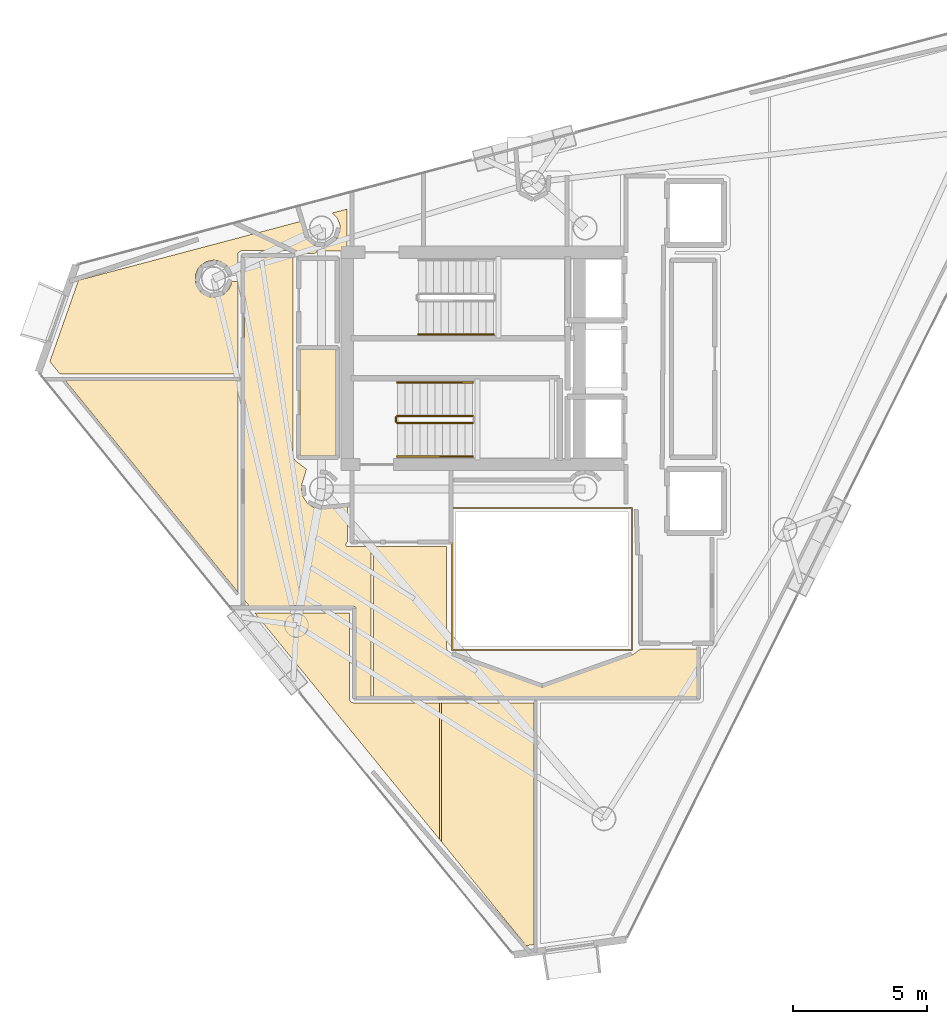
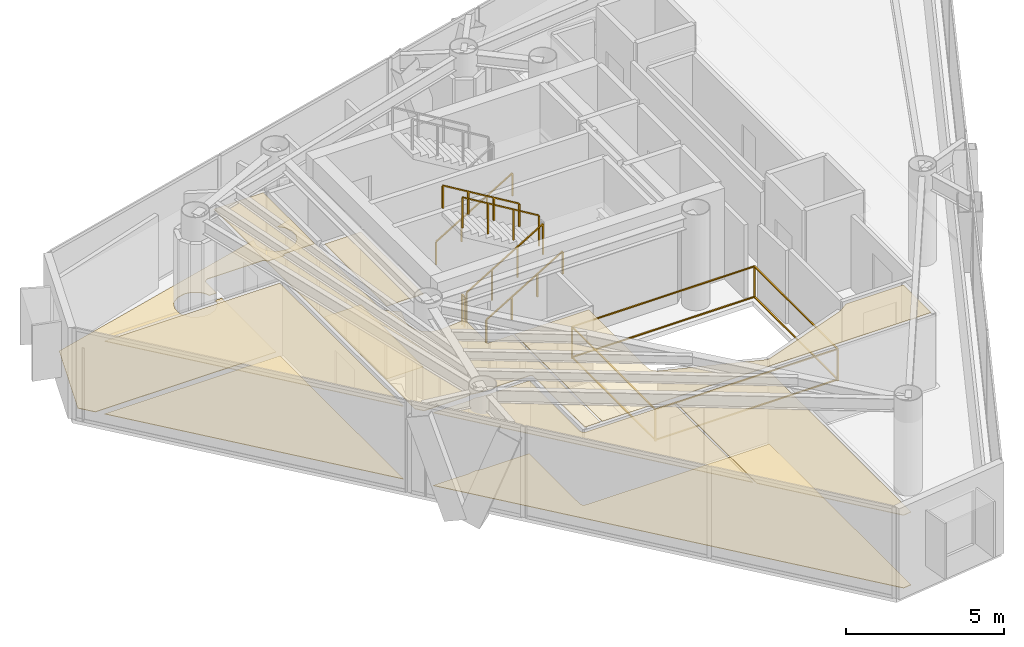
# One storey, part 21 of 23: 10 coverings, 7 railings.
"""IFC4 building model written with IfcOpenShell, lengths in metres."""

from ifc_helpers import new_model, si_unit, direction, frame, origin, origin_2d, place, context, subcontext, project, spatial, polyline, rectangle, outline, extrude, material, layer, layer_set, type_object, element, save


model = new_model("IFC4")

# Units and contexts
model_context = context("Model", 3, precision=1e-05, world=origin(), true_north=direction((0.0, 1.0)))
body_context = subcontext(model_context, "Body", "Model", "MODEL_VIEW")
ifc_project = project(units=[si_unit("LENGTHUNIT", "METRE"), si_unit("AREAUNIT", "SQUARE_METRE"), si_unit("VOLUMEUNIT", "CUBIC_METRE"), si_unit("PLANEANGLEUNIT", "RADIAN"), si_unit("MASSUNIT", "GRAM", prefix="KILO")], contexts=[model_context])

# Site, building, storey
site_placement = place(None, origin())
site = spatial("IfcSite", under=ifc_project, at=site_placement, CompositionType="ELEMENT")
building_placement = place(site_placement, origin())
building = spatial("IfcBuilding", under=site, at=building_placement, Name="Qianvela Tower", CompositionType="ELEMENT")
storey_placement = place(building_placement, frame((0.0, 0.0, 313.89990234375)))
storey = spatial("IfcBuildingStorey", under=building, at=storey_placement, Name="L81", CompositionType="ELEMENT", Elevation=313.89990234375)

# Coverings
ifc_material_1 = material(Name="Perforated Mineral Acoustic Ceiling Tile")
ifc_layer_1 = layer(ifc_material_1, 0.02490234375)
ifc_layer_set_1 = layer_set([ifc_layer_1], Name="Perforated Mineral Acoustic Ceiling Tile")
covering_type_1 = type_object("IfcCoveringType", Name="COV-CEIL-ACOUSTIC-25", PredefinedType="CEILING", material=ifc_layer_set_1)
covering_1_placement = place(storey_placement, frame((0.0, 0.0, 2.815185546875)))
element("IfcCovering", 1, at=covering_1_placement, inside=storey, type_object=covering_type_1, Name="L81 Acoustic Ceiling L81 Core Tea Pantry West", PredefinedType="CEILING", context=body_context, shape_type="SweptSolid", body=[
    extrude(outline(polyline([(27.800048828125, 25.080078125), (27.800048828125, 29.0400390625), (29.139892578125, 29.0400390625), (29.139892578125, 25.080078125), (27.800048828125, 25.080078125)])), origin(), (0.0, 0.0, 1.0), 0.02490234375),
])
covering_2_placement = place(storey_placement, frame((0.0, 0.0, 2.815185546875)))
element("IfcCovering", 2, at=covering_2_placement, inside=storey, type_object=covering_type_1, Name="L81 Acoustic Ceiling Bay 1 L81 Floor Corridor", PredefinedType="CEILING", context=body_context, shape_type="SweptSolid", body=[
    extrude(outline(polyline([(27.5400390625, 32.469970703125), (27.5400390625, 25.04638671875), (27.540283203125, 25.038818359375), (27.54150390625, 25.03125), (27.543212890625, 25.023681640625), (27.545654296875, 25.0166015625), (27.548828125, 25.009765625), (27.552734375, 25.003173828125), (27.61328125, 24.90869140625), (27.61767578125, 24.90283203125), (27.622314453125, 24.8974609375), (27.62744140625, 24.892333984375), (27.633056640625, 24.8876953125), (28.042236328125, 24.584228515625), (27.8662109375, 24.00390625), (27.864501953125, 23.996337890625), (27.86328125, 23.988525390625), (27.850341796875, 23.85791015625), (27.85009765625, 23.85009765625), (27.850341796875, 23.84228515625), (27.8515625, 23.83447265625), (27.902587890625, 23.577880859375), (27.904296875, 23.5703125), (27.906982421875, 23.56298828125), (27.910400390625, 23.555908203125), (27.91455078125, 23.54931640625), (28.059814453125, 23.331787109375), (28.064453125, 23.325439453125), (28.069580078125, 23.319580078125), (28.075439453125, 23.314453125), (28.081787109375, 23.309814453125), (28.29931640625, 23.16455078125), (28.305908203125, 23.160400390625), (28.31298828125, 23.156982421875), (28.3203125, 23.154296875), (28.327880859375, 23.152587890625), (28.58447265625, 23.1015625), (28.59228515625, 23.100341796875), (28.60009765625, 23.10009765625), (28.60791015625, 23.100341796875), (29.55810546875, 23.194091796875), (29.55810546875, 21.877685546875), (29.52001953125, 21.82958984375), (29.515380859375, 21.822998046875), (29.51171875, 21.81640625), (29.508544921875, 21.809326171875), (29.506103515625, 21.802001953125), (29.504150390625, 21.794189453125), (29.503173828125, 21.78662109375), (29.5029296875, 21.77880859375), (29.50341796875, 21.77099609375), (29.504638671875, 21.763427734375), (29.506591796875, 21.755859375), (29.50927734375, 21.74853515625), (29.5126953125, 21.74169921875), (29.516845703125, 21.735107421875), (29.521484375, 21.728759765625), (29.52685546875, 21.722900390625), (29.53271484375, 21.7177734375), (29.538818359375, 21.713134765625), (29.54541015625, 21.709228515625), (29.552490234375, 21.7060546875), (29.559814453125, 21.703369140625), (29.5673828125, 21.701416015625), (29.5751953125, 21.700439453125), (29.5830078125, 21.699951171875), (30.44482421875, 21.699951171875), (30.44482421875, 16.1298828125), (29.8798828125, 16.1298828125), (29.8798828125, 19.39990234375), (29.879638671875, 19.40771484375), (29.87841796875, 19.41552734375), (29.876708984375, 19.423095703125), (29.873779296875, 19.4306640625), (29.87060546875, 19.437744140625), (29.866455078125, 19.4443359375), (29.86181640625, 19.45068359375), (29.856689453125, 19.45654296875), (29.850830078125, 19.4619140625), (29.844482421875, 19.466552734375), (29.837646484375, 19.470703125), (29.83056640625, 19.473876953125), (29.8232421875, 19.4765625), (29.815673828125, 19.478515625), (29.807861328125, 19.4794921875), (29.800048828125, 19.47998046875), (27.910888671875, 19.47998046875), (27.684814453125, 19.522705078125), (27.677490234375, 19.523681640625), (27.669921875, 19.52392578125), (27.66259765625, 19.523681640625), (27.6552734375, 19.522705078125), (27.42919921875, 19.47998046875), (25.92333984375, 19.47998046875), (25.72998046875, 19.71728515625), (25.72998046875, 32.469970703125), (27.5400390625, 32.469970703125)])), origin(), (0.0, 0.0, 1.0), 0.02490234375),
])
covering_3_placement = place(storey_placement, frame((0.0, 0.0, 2.815185546875)))
element("IfcCovering", 3, at=covering_3_placement, inside=storey, type_object=covering_type_1, Name="L81 Acoustic Ceiling Bay 2 L81 Floor Corridor", PredefinedType="CEILING", context=body_context, shape_type="SweptSolid", body=[
    extrude(outline(polyline([(33.239990234375, 21.699951171875), (33.239990234375, 18.0), (33.240478515625, 17.990234375), (33.242431640625, 17.980712890625), (33.275390625, 17.8486328125), (33.277587890625, 17.841796875), (33.2802734375, 17.8349609375), (33.283447265625, 17.82861328125), (33.287353515625, 17.822509765625), (33.29150390625, 17.81689453125), (33.29638671875, 17.811279296875), (33.411376953125, 17.696533203125), (33.41796875, 17.690673828125), (33.42529296875, 17.685546875), (33.432861328125, 17.68115234375), (33.44091796875, 17.677734375), (36.77294921875, 16.482666015625), (36.780517578125, 16.48046875), (36.7880859375, 16.47900390625), (36.7958984375, 16.47802734375), (36.803955078125, 16.47802734375), (36.811767578125, 16.47900390625), (36.8193359375, 16.48046875), (36.826904296875, 16.482666015625), (40.134033203125, 17.666015625), (40.140869140625, 17.668701171875), (40.1474609375, 17.672119140625), (40.153564453125, 17.676025390625), (40.458740234375, 17.89306640625), (42.570068359375, 17.899658203125), (42.570068359375, 16.1298828125), (30.52490234375, 16.1298828125), (30.52490234375, 21.699951171875), (33.239990234375, 21.699951171875)])), origin(), (0.0, 0.0, 1.0), 0.02490234375),
])
covering_4_placement = place(storey_placement, frame((0.0, 0.0, 2.815185546875)))
element("IfcCovering", 4, at=covering_4_placement, inside=storey, type_object=covering_type_1, Name="L81 Acoustic Ceiling Project Huddle Conference L81-01", PredefinedType="CEILING", context=body_context, shape_type="SweptSolid", body=[
    extrude(outline(polyline([(25.486572265625, 20.015625), (19.073974609375, 27.87841796875), (25.4921875, 27.87841796875), (25.489990234375, 20.017578125), (25.486572265625, 20.015625)])), origin(), (0.0, 0.0, 1.0), 0.02490234375),
])
covering_5_placement = place(storey_placement, frame((0.0, 0.0, 2.815185546875)))
element("IfcCovering", 5, at=covering_5_placement, inside=storey, type_object=covering_type_1, Name="L81 Acoustic Ceiling Bay 1 Debate Lecture Classroom L81-02", PredefinedType="CEILING", context=body_context, shape_type="SweptSolid", body=[
    extrude(outline(polyline([(27.44384765625, 19.240234375), (27.450927734375, 19.2412109375), (27.669921875, 19.28125), (27.888916015625, 19.2412109375), (27.89599609375, 19.240234375), (27.9033203125, 19.239990234375), (29.639892578125, 19.239990234375), (29.639892578125, 16.050048828125), (29.640380859375, 16.042236328125), (29.6416015625, 16.034423828125), (29.643310546875, 16.02685546875), (29.64599609375, 16.019287109375), (29.66943359375, 15.962890625), (29.6728515625, 15.955810546875), (29.677001953125, 15.948974609375), (29.681640625, 15.942626953125), (29.68701171875, 15.93701171875), (29.692626953125, 15.931640625), (29.698974609375, 15.927001953125), (29.705810546875, 15.9228515625), (29.712890625, 15.91943359375), (29.769287109375, 15.89599609375), (29.77685546875, 15.893310546875), (29.784423828125, 15.8916015625), (29.792236328125, 15.890380859375), (29.800048828125, 15.889892578125), (32.978271484375, 15.890380859375), (32.978271484375, 10.829833984375), (26.119140625, 19.239990234375), (27.436767578125, 19.239990234375), (27.44384765625, 19.240234375)])), origin(), (0.0, 0.0, 1.0), 0.02490234375),
])
covering_6_placement = place(storey_placement, frame((0.0, 0.0, 2.815185546875)))
element("IfcCovering", 6, at=covering_6_placement, inside=storey, type_object=covering_type_1, Name="L81 Acoustic Ceiling Bay 2 Debate Lecture Classroom L81-02", PredefinedType="CEILING", context=body_context, shape_type="SweptSolid", body=[
    extrude(outline(polyline([(36.501220703125, 15.890869140625), (36.501220703125, 6.909423828125), (36.20849609375, 6.869140625), (33.05810546875, 10.731689453125), (33.05810546875, 15.890380859375), (36.501220703125, 15.890869140625)])), origin(), (0.0, 0.0, 1.0), 0.02490234375),
])
ifc_material_2 = material(Name="Engineered Acoustic Oak Timber Flooring", Category="wood")
ifc_layer_2 = layer(ifc_material_2, 0.02001953125)
ifc_layer_set_2 = layer_set([ifc_layer_2], Name="Engineered Acoustic Oak Timber Flooring")
covering_type_2 = type_object("IfcCoveringType", Name="COV-FLOOR-OAK-20", PredefinedType="FLOORING", material=ifc_layer_set_2)
covering_7_placement = place(storey_placement, origin())
element("IfcCovering", 7, at=covering_7_placement, inside=storey, type_object=covering_type_2, Name="L81 Finish Flooring L81 Core Tea Pantry West", PredefinedType="FLOORING", context=body_context, shape_type="SweptSolid", body=[
    extrude(outline(polyline([(27.800048828125, 25.080078125), (27.800048828125, 29.0400390625), (29.139892578125, 29.0400390625), (29.139892578125, 25.080078125), (27.800048828125, 25.080078125)])), origin(), (0.0, 0.0, 1.0), 0.02001953125),
])
covering_8_placement = place(storey_placement, origin())
element("IfcCovering", 8, at=covering_8_placement, inside=storey, type_object=covering_type_2, Name="L81 Finish Flooring Project Huddle Conference L81-01", PredefinedType="FLOORING", context=body_context, shape_type="SweptSolid", body=[
    extrude(outline(polyline([(25.486572265625, 20.015625), (19.073974609375, 27.87841796875), (25.4921875, 27.87841796875), (25.489990234375, 20.017578125), (25.486572265625, 20.015625)])), origin(), (0.0, 0.0, 1.0), 0.02001953125),
])
covering_9_placement = place(storey_placement, origin())
element("IfcCovering", 9, at=covering_9_placement, inside=storey, type_object=covering_type_2, Name="L81 Finish Flooring Debate Lecture Classroom L81-02", PredefinedType="FLOORING", context=body_context, shape_type="SweptSolid", body=[
    extrude(outline(polyline([(27.436767578125, 19.239990234375), (27.44384765625, 19.240234375), (27.450927734375, 19.2412109375), (27.669921875, 19.28125), (27.888916015625, 19.2412109375), (27.89599609375, 19.240234375), (27.9033203125, 19.239990234375), (29.639892578125, 19.239990234375), (29.639892578125, 16.050048828125), (29.640380859375, 16.042236328125), (29.6416015625, 16.034423828125), (29.643310546875, 16.02685546875), (29.64599609375, 16.019287109375), (29.66943359375, 15.962890625), (29.6728515625, 15.955810546875), (29.677001953125, 15.948974609375), (29.681640625, 15.942626953125), (29.68701171875, 15.93701171875), (29.692626953125, 15.931640625), (29.698974609375, 15.927001953125), (29.705810546875, 15.9228515625), (29.712890625, 15.91943359375), (29.769287109375, 15.89599609375), (29.77685546875, 15.893310546875), (29.784423828125, 15.8916015625), (29.792236328125, 15.890380859375), (29.800048828125, 15.889892578125), (36.501220703125, 15.890869140625), (36.501220703125, 6.909423828125), (36.20849609375, 6.869140625), (26.119140625, 19.239990234375), (27.436767578125, 19.239990234375)])), origin(), (0.0, 0.0, 1.0), 0.02001953125),
])
covering_10_placement = place(storey_placement, origin())
element("IfcCovering", 10, at=covering_10_placement, inside=storey, type_object=covering_type_2, Name="L81 Finish Flooring Floor Dining Kitchen L81-04", PredefinedType="FLOORING", context=body_context, shape_type="SweptSolid", body=[
    extrude(outline(polyline([(29.002685546875, 34.106689453125), (29.5400390625, 34.2490234375), (29.5400390625, 32.699951171875), (28.47998046875, 32.699951171875), (28.47216796875, 32.69970703125), (28.464111328125, 32.698486328125), (28.45654296875, 32.696533203125), (28.44921875, 32.69384765625), (28.44189453125, 32.690185546875), (28.43505859375, 32.686279296875), (28.4287109375, 32.681396484375), (28.4228515625, 32.676025390625), (28.417724609375, 32.670166015625), (28.4130859375, 32.663818359375), (28.408935546875, 32.656982421875), (28.40576171875, 32.649658203125), (28.403076171875, 32.64208984375), (28.4013671875, 32.634521484375), (28.400390625, 32.62646484375), (28.39892578125, 32.609619140625), (27.7626953125, 32.607666015625), (27.759521484375, 32.6201171875), (27.757080078125, 32.62744140625), (27.754150390625, 32.634765625), (27.75048828125, 32.6416015625), (27.74609375, 32.648193359375), (27.7412109375, 32.654296875), (27.735595703125, 32.659912109375), (27.7294921875, 32.6650390625), (27.722900390625, 32.66943359375), (27.716064453125, 32.673095703125), (27.654296875, 32.702392578125), (27.647705078125, 32.705078125), (27.64111328125, 32.707275390625), (27.634033203125, 32.708740234375), (27.627197265625, 32.709716796875), (27.6201171875, 32.7099609375), (25.64990234375, 32.7099609375), (25.642578125, 32.709716796875), (25.635498046875, 32.708740234375), (25.62841796875, 32.70703125), (25.62158203125, 32.70458984375), (25.61474609375, 32.701904296875), (25.6083984375, 32.6982421875), (25.602294921875, 32.6943359375), (25.52587890625, 32.637451171875), (25.519287109375, 32.632080078125), (25.513671875, 32.626220703125), (25.50830078125, 32.619873046875), (25.50390625, 32.61279296875), (25.500244140625, 32.60546875), (25.497314453125, 32.59765625), (25.4951171875, 32.589599609375), (25.493896484375, 32.58154296875), (25.493408203125, 32.5732421875), (25.493408203125, 31.894775390625), (25.22802734375, 31.89404296875), (25.16748046875, 32.03369140625), (25.164306640625, 32.040283203125), (25.160400390625, 32.046630859375), (25.156005859375, 32.052490234375), (25.080078125, 32.14501953125), (25.074951171875, 32.15087890625), (25.069091796875, 32.15625), (25.062744140625, 32.160888671875), (24.864990234375, 32.293212890625), (24.858154296875, 32.297119140625), (24.85107421875, 32.300537109375), (24.84375, 32.302978515625), (24.729248046875, 32.337890625), (24.7216796875, 32.339599609375), (24.7138671875, 32.3408203125), (24.5947265625, 32.3525390625), (24.5869140625, 32.35302734375), (24.5791015625, 32.3525390625), (24.5712890625, 32.3515625), (24.337890625, 32.304931640625), (24.330322265625, 32.302978515625), (24.322998046875, 32.300537109375), (24.31591796875, 32.297119140625), (24.30908203125, 32.293212890625), (24.111083984375, 32.160888671875), (24.10498046875, 32.15625), (24.09912109375, 32.15087890625), (24.09375, 32.14501953125), (24.01806640625, 32.052490234375), (24.01318359375, 32.04638671875), (24.00927734375, 32.03955078125), (24.005859375, 32.032470703125), (23.914794921875, 31.8125), (23.912109375, 31.80517578125), (23.910400390625, 31.797607421875), (23.9091796875, 31.789794921875), (23.90869140625, 31.781982421875), (23.90869140625, 31.5439453125), (23.9091796875, 31.5361328125), (23.910400390625, 31.5283203125), (23.912109375, 31.520751953125), (23.947021484375, 31.40625), (23.949462890625, 31.39892578125), (23.952880859375, 31.391845703125), (23.956787109375, 31.385009765625), (24.089111328125, 31.187255859375), (24.09375, 31.180908203125), (24.09912109375, 31.175048828125), (24.10498046875, 31.169921875), (24.197509765625, 31.093994140625), (24.20361328125, 31.08935546875), (24.21044921875, 31.085205078125), (24.217529296875, 31.081787109375), (24.4375, 30.99072265625), (24.44482421875, 30.98828125), (24.452392578125, 30.986328125), (24.460205078125, 30.985107421875), (24.468017578125, 30.984619140625), (24.7060546875, 30.984619140625), (24.7138671875, 30.985107421875), (24.7216796875, 30.986328125), (24.729248046875, 30.98828125), (24.736572265625, 30.99072265625), (24.95654296875, 31.081787109375), (24.963623046875, 31.085205078125), (24.97021484375, 31.08935546875), (24.9765625, 31.093994140625), (24.982421875, 31.09912109375), (25.15087890625, 31.267578125), (25.156005859375, 31.2734375), (25.16064453125, 31.27978515625), (25.164794921875, 31.286376953125), (25.22119140625, 31.391845703125), (25.224365234375, 31.398681640625), (25.226806640625, 31.405517578125), (25.228759765625, 31.412841796875), (25.2587890625, 31.55419921875), (25.4931640625, 31.5546875), (25.4921875, 28.122314453125), (18.875, 28.122314453125), (18.500244140625, 28.581787109375), (19.56591796875, 31.60498046875), (27.973876953125, 33.833740234375), (27.969482421875, 33.8271484375), (27.965576171875, 33.820556640625), (27.96240234375, 33.813720703125), (27.959716796875, 33.806396484375), (27.9580078125, 33.799072265625), (27.91162109375, 33.565673828125), (27.910400390625, 33.557861328125), (27.909912109375, 33.550048828125), (27.910400390625, 33.542236328125), (27.922119140625, 33.423095703125), (27.92333984375, 33.415283203125), (27.92529296875, 33.40771484375), (27.927734375, 33.400390625), (28.018798828125, 33.180419921875), (28.022216796875, 33.17333984375), (28.0263671875, 33.166748046875), (28.031005859375, 33.160400390625), (28.0361328125, 33.154541015625), (28.20458984375, 32.986083984375), (28.21044921875, 32.98095703125), (28.216796875, 32.976318359375), (28.223388671875, 32.97216796875), (28.328857421875, 32.916015625), (28.3359375, 32.91259765625), (28.34326171875, 32.909912109375), (28.35107421875, 32.907958984375), (28.58447265625, 32.861572265625), (28.59228515625, 32.8603515625), (28.60009765625, 32.860107421875), (28.60791015625, 32.8603515625), (28.726806640625, 32.8720703125), (28.734619140625, 32.873291015625), (28.7421875, 32.875244140625), (28.74951171875, 32.877685546875), (28.969482421875, 32.968994140625), (28.9765625, 32.97216796875), (28.9833984375, 32.976318359375), (28.989501953125, 32.98095703125), (28.99560546875, 32.986083984375), (29.163818359375, 33.154541015625), (29.1689453125, 33.160400390625), (29.173583984375, 33.166748046875), (29.177734375, 33.17333984375), (29.18115234375, 33.180419921875), (29.272216796875, 33.400390625), (29.27490234375, 33.40771484375), (29.276611328125, 33.415283203125), (29.27783203125, 33.423095703125), (29.28955078125, 33.542236328125), (29.2900390625, 33.550048828125), (29.28955078125, 33.557861328125), (29.27783203125, 33.6767578125), (29.276611328125, 33.6845703125), (29.27490234375, 33.692138671875), (29.272216796875, 33.69970703125), (29.18115234375, 33.91943359375), (29.177734375, 33.926513671875), (29.173583984375, 33.933349609375), (29.1689453125, 33.939697265625), (29.163818359375, 33.945556640625), (29.002685546875, 34.106689453125)])), origin(), (0.0, 0.0, 1.0), 0.02001953125),
])

# Railings
ifc_material_3 = material(Name="Laminated Safety Glass and Stainless Steel 316", Category="steel")
railing_type_1 = type_object("IfcRailingType", Name="RL-ATRIUM-GUARD-1250", PredefinedType="GUARDRAIL", material=ifc_material_3)
railing_1_placement = place(storey_placement, frame((33.4599609375, 17.860107421875, 0.0)))
element("IfcRailing", 11, at=railing_1_placement, inside=storey, type_object=railing_type_1, Name="L81 Atrium Edge Guardrail 1", PredefinedType="GUARDRAIL", context=body_context, shape_type="SweptSolid", body=[
    extrude(rectangle(XDim=0.050048828125, YDim=0.0400390625, at=origin_2d()), frame((0.0, 0.0, 1.22998046875), z_axis=(0.0, 1.0, 0.0), x_axis=(-1.0, 0.0, 0.0)), (0.0, 0.0, 1.0), 5.27978515625),
    extrude(rectangle(XDim=0.050048828125, YDim=0.0400390625, at=origin_2d()), frame((0.0, 0.0, 0.050048828125), z_axis=(0.0, 1.0, 0.0), x_axis=(-1.0, 0.0, 0.0)), (0.0, 0.0, 1.0), 5.27978515625),
    extrude(rectangle(XDim=0.050048828125, YDim=0.0400390625, at=origin_2d()), frame((0.0, 5.27978515625, 1.22998046875), z_axis=(1.0, 0.0, 0.0), x_axis=(0.0, 1.0, 0.0)), (0.0, 0.0, 1.0), 6.679931640625),
    extrude(rectangle(XDim=0.050048828125, YDim=0.0400390625, at=origin_2d()), frame((0.0, 5.27978515625, 0.050048828125), z_axis=(1.0, 0.0, 0.0), x_axis=(0.0, 1.0, 0.0)), (0.0, 0.0, 1.0), 6.679931640625),
    extrude(rectangle(XDim=0.050048828125, YDim=0.0400390625, at=origin_2d()), frame((6.679931640625, 5.27978515625, 1.22998046875), z_axis=(0.0, -1.0, 0.0), x_axis=(1.0, 0.0, 0.0)), (0.0, 0.0, 1.0), 5.27978515625),
    extrude(rectangle(XDim=0.050048828125, YDim=0.0400390625, at=origin_2d()), frame((6.679931640625, 5.27978515625, 0.050048828125), z_axis=(0.0, -1.0, 0.0), x_axis=(1.0, 0.0, 0.0)), (0.0, 0.0, 1.0), 5.27978515625),
    extrude(rectangle(XDim=0.050048828125, YDim=0.0400390625, at=origin_2d()), frame((6.679931640625, 0.0, 1.22998046875), z_axis=(-1.0, 0.0, 0.0), x_axis=(0.0, -1.0, 0.0)), (0.0, 0.0, 1.0), 6.679931640625),
    extrude(rectangle(XDim=0.050048828125, YDim=0.0400390625, at=origin_2d()), frame((6.679931640625, 0.0, 0.050048828125), z_axis=(-1.0, 0.0, 0.0), x_axis=(0.0, -1.0, 0.0)), (0.0, 0.0, 1.0), 6.679931640625),
    extrude(rectangle(XDim=0.050048828125, YDim=0.050048828125, at=origin_2d()), origin(), (0.0, 0.0, 1.0), 1.2099609375),
    extrude(rectangle(XDim=0.050048828125, YDim=0.050048828125, at=origin_2d()), frame((0.0, 5.27978515625, 0.0)), (0.0, 0.0, 1.0), 1.2099609375),
    extrude(rectangle(XDim=0.050048828125, YDim=0.050048828125, at=origin_2d()), frame((6.679931640625, 5.27978515625, 0.0)), (0.0, 0.0, 1.0), 1.2099609375),
    extrude(rectangle(XDim=0.050048828125, YDim=0.050048828125, at=origin_2d()), frame((6.679931640625, 0.0, 0.0)), (0.0, 0.0, 1.0), 1.2099609375),
])
ifc_material_4 = material(Name="Painted Tubular Steel Q355B", Category="steel")
railing_type_2 = type_object("IfcRailingType", Name="RL-STAIR-GUARD-1200", PredefinedType="GUARDRAIL", material=ifc_material_4)
railing_2_placement = place(storey_placement, frame((31.419921875, 26.300048828125, 0.168212890625)))
element("IfcRailing", 12, at=railing_2_placement, inside=storey, type_object=railing_type_2, Name="L81 ST-2 stair guard 1", PredefinedType="GUARDRAIL", context=body_context, shape_type="SweptSolid", body=[
    extrude(rectangle(XDim=0.050048828125, YDim=0.0400390625, at=origin_2d()), frame((0.0, 0.0, 1.179931640625), z_axis=(0.857242210791, 0.0, 0.514913383045), x_axis=(0.0, 1.0, 0.0)), (0.0, 0.0, 1.0), 3.266357421875),
    extrude(rectangle(XDim=0.050048828125, YDim=0.050048828125, at=origin_2d()), origin(), (0.0, 0.0, 1.0), 1.159912109375),
    extrude(rectangle(XDim=0.050048828125, YDim=0.050048828125, at=origin_2d()), frame((0.933349609375, 0.0, 0.560546875)), (0.0, 0.0, 1.0), 1.159912109375),
    extrude(rectangle(XDim=0.050048828125, YDim=0.050048828125, at=origin_2d()), frame((1.86669921875, 0.0, 1.121337890625)), (0.0, 0.0, 1.0), 1.159912109375),
    extrude(rectangle(XDim=0.050048828125, YDim=0.050048828125, at=origin_2d()), frame((2.800048828125, 0.0, 1.681884765625)), (0.0, 0.0, 1.0), 1.159912109375),
])
railing_3_placement = place(storey_placement, frame((34.219970703125, 26.56005859375, 2.018310546875)))
element("IfcRailing", 13, at=railing_3_placement, inside=storey, type_object=railing_type_2, Name="L81 ST-2 stair guard 3", PredefinedType="GUARDRAIL", context=body_context, shape_type="SweptSolid", body=[
    extrude(rectangle(XDim=0.050048828125, YDim=0.0400390625, at=origin_2d()), frame((0.0, 0.0, 1.179931640625), z_axis=(-0.857242210791, 0.0, 0.514913383045), x_axis=(0.0, -1.0, 0.0)), (0.0, 0.0, 1.0), 3.266357421875),
    extrude(rectangle(XDim=0.050048828125, YDim=0.050048828125, at=origin_2d()), origin(), (0.0, 0.0, 1.0), 1.159912109375),
    extrude(rectangle(XDim=0.050048828125, YDim=0.050048828125, at=origin_2d()), frame((-0.933349609375, 0.0, 0.560546875)), (0.0, 0.0, 1.0), 1.159912109375),
    extrude(rectangle(XDim=0.050048828125, YDim=0.050048828125, at=origin_2d()), frame((-1.86669921875, 0.0, 1.121337890625)), (0.0, 0.0, 1.0), 1.159912109375),
    extrude(rectangle(XDim=0.050048828125, YDim=0.050048828125, at=origin_2d()), frame((-2.800048828125, 0.0, 1.681884765625)), (0.0, 0.0, 1.0), 1.159912109375),
])
railing_4_placement = place(storey_placement, frame((31.3701171875, 26.35009765625, 0.0)))
element("IfcRailing", 14, at=railing_4_placement, inside=storey, type_object=railing_type_2, Name="L81 ST-2 stair guard 4", PredefinedType="GUARDRAIL", context=body_context, shape_type="SweptSolid", body=[
    extrude(rectangle(XDim=0.050048828125, YDim=0.0400390625, at=origin_2d()), frame((0.0, 0.0, 1.179931640625), z_axis=(0.0, 1.0, 0.0), x_axis=(-1.0, 0.0, 0.0)), (0.0, 0.0, 1.0), 0.159912109375),
    extrude(rectangle(XDim=0.050048828125, YDim=0.050048828125, at=origin_2d()), origin(), (0.0, 0.0, 1.0), 1.159912109375),
    extrude(rectangle(XDim=0.050048828125, YDim=0.050048828125, at=origin_2d()), frame((0.0, 0.159912109375, 0.0)), (0.0, 0.0, 1.0), 1.159912109375),
])
ifc_material_5 = material(Name="Brushed Stainless Steel 304", Category="steel")
railing_type_3 = type_object("IfcRailingType", Name="RL-STAIR-HANDRAIL-900", PredefinedType="HANDRAIL", material=ifc_material_5)
for number, where, name in (
    (15, (32.199951171875, 29.590087890625, 0.168212890625), "L81 ST-1 stair handrail 1"),
    (16, (31.419921875, 25.050048828125, 0.168212890625), "L81 ST-2 stair handrail 1"),
):
    element("IfcRailing", number, at=place(storey_placement, frame(where)), inside=storey, type_object=railing_type_3, Name=name, PredefinedType="HANDRAIL", context=body_context, shape_type="SweptSolid", body=[
        extrude(rectangle(XDim=0.050048828125, YDim=0.0400390625, at=origin_2d()), frame((0.0, 0.0, 0.8798828125), z_axis=(0.857242210791, 0.0, 0.514913383045), x_axis=(0.0, 1.0, 0.0)), (0.0, 0.0, 1.0), 3.266357421875),
        extrude(rectangle(XDim=0.050048828125, YDim=0.050048828125, at=origin_2d()), origin(), (0.0, 0.0, 1.0), 0.85986328125),
        extrude(rectangle(XDim=0.050048828125, YDim=0.050048828125, at=origin_2d()), frame((0.933349609375, 0.0, 0.560546875)), (0.0, 0.0, 1.0), 0.85986328125),
        extrude(rectangle(XDim=0.050048828125, YDim=0.050048828125, at=origin_2d()), frame((1.86669921875, 0.0, 1.121337890625)), (0.0, 0.0, 1.0), 0.85986328125),
        extrude(rectangle(XDim=0.050048828125, YDim=0.050048828125, at=origin_2d()), frame((2.800048828125, 0.0, 1.681884765625)), (0.0, 0.0, 1.0), 0.85986328125),
    ])
railing_5_placement = place(storey_placement, frame((34.219970703125, 27.81005859375, 2.018310546875)))
element("IfcRailing", 17, at=railing_5_placement, inside=storey, type_object=railing_type_3, Name="L81 ST-2 stair handrail 2", PredefinedType="HANDRAIL", context=body_context, shape_type="SweptSolid", body=[
    extrude(rectangle(XDim=0.050048828125, YDim=0.0400390625, at=origin_2d()), frame((0.0, 0.0, 0.8798828125), z_axis=(-0.857242210791, 0.0, 0.514913383045), x_axis=(0.0, -1.0, 0.0)), (0.0, 0.0, 1.0), 3.266357421875),
    extrude(rectangle(XDim=0.050048828125, YDim=0.050048828125, at=origin_2d()), origin(), (0.0, 0.0, 1.0), 0.85986328125),
    extrude(rectangle(XDim=0.050048828125, YDim=0.050048828125, at=origin_2d()), frame((-0.933349609375, 0.0, 0.560546875)), (0.0, 0.0, 1.0), 0.85986328125),
    extrude(rectangle(XDim=0.050048828125, YDim=0.050048828125, at=origin_2d()), frame((-1.86669921875, 0.0, 1.121337890625)), (0.0, 0.0, 1.0), 0.85986328125),
    extrude(rectangle(XDim=0.050048828125, YDim=0.050048828125, at=origin_2d()), frame((-2.800048828125, 0.0, 1.681884765625)), (0.0, 0.0, 1.0), 0.85986328125),
])

save(model, "model.ifc")
